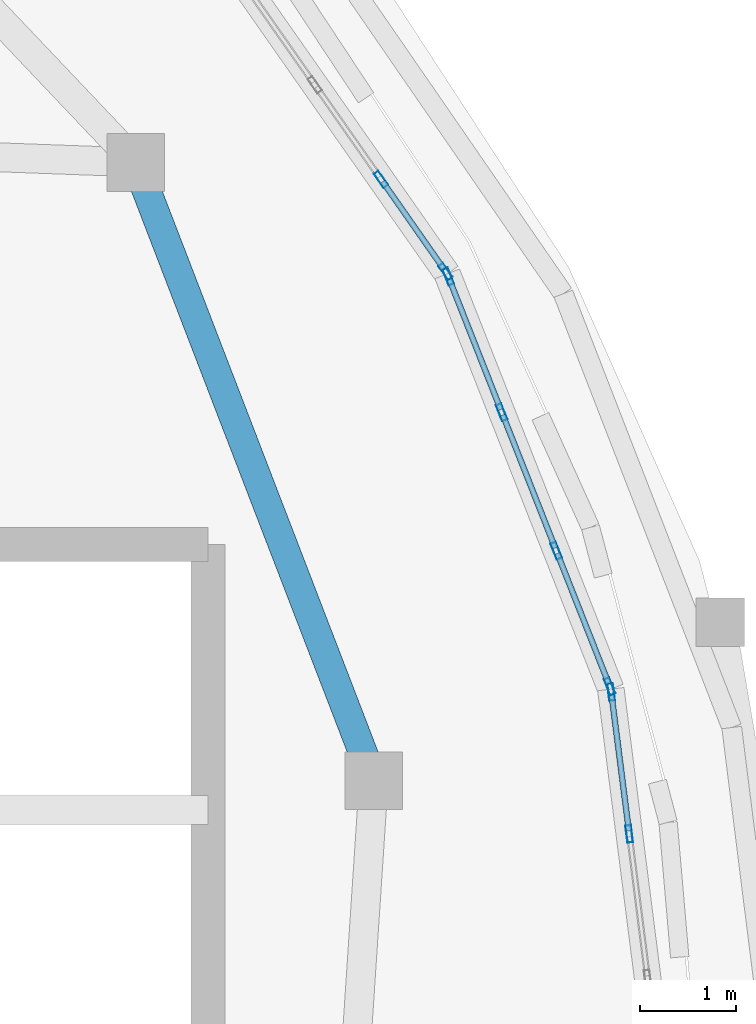
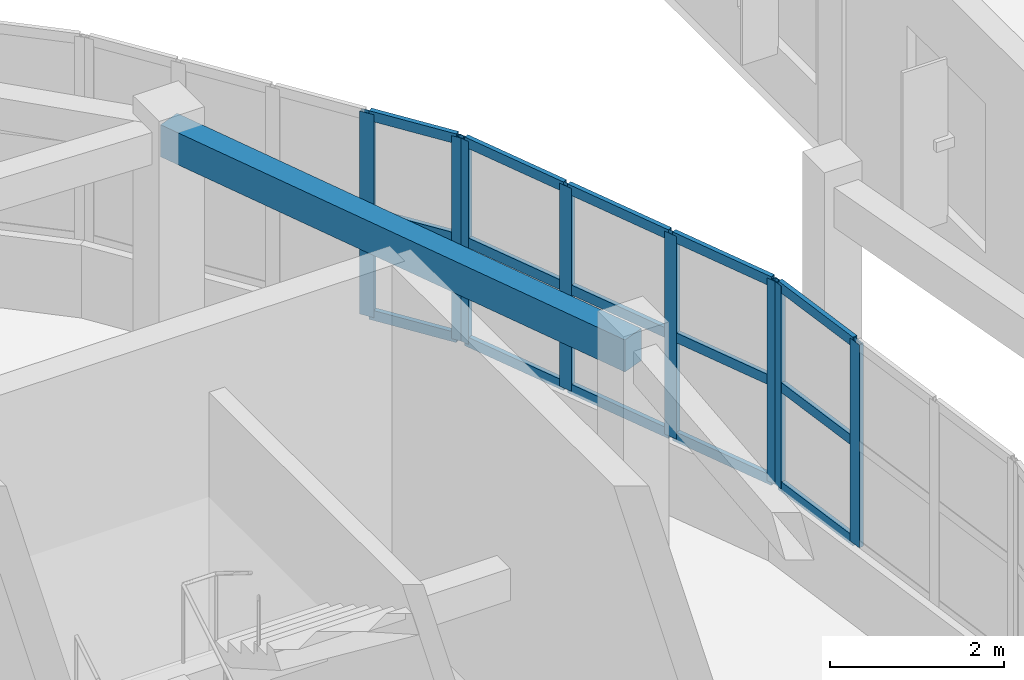
# One storey, part 28 of 69: 23 members, 1 beam, 3 elements without a shape of their own.
"""IFC4 building model written with IfcOpenShell, lengths in metres."""

from ifc_helpers import new_model, si_unit, direction, frame, origin, origin_2d, place, context, subcontext, project, spatial, rectangle, hollow_rectangle, extrude, material, layer, layer_set, material_profile, profile_set, type_object, element, aggregate, save


model = new_model("IFC4")

# Units and contexts
model_context = context("Model", 3, precision=1e-05, world=origin(), true_north=direction((0.0, 1.0)))
body_context = subcontext(model_context, "Body", "Model", "MODEL_VIEW")
ifc_project = project(units=[si_unit("LENGTHUNIT", "METRE"), si_unit("AREAUNIT", "SQUARE_METRE"), si_unit("VOLUMEUNIT", "CUBIC_METRE"), si_unit("PLANEANGLEUNIT", "RADIAN"), si_unit("MASSUNIT", "GRAM", prefix="KILO")], contexts=[model_context])

# Site, building, storey
site_placement = place(None, origin())
site = spatial("IfcSite", under=ifc_project, at=site_placement, CompositionType="ELEMENT")
building_placement = place(site_placement, origin())
building = spatial("IfcBuilding", under=site, at=building_placement, Name="Pelvatis Terrace Science Centre", CompositionType="ELEMENT")
storey_placement = place(building_placement, frame((0.0, 0.0, 15.0)))
storey = spatial("IfcBuildingStorey", under=building, at=storey_placement, Name="L03", CompositionType="ELEMENT", Elevation=15.0)

# Beam
ifc_material_1 = material(Name="Concrete C35/45", Category="concrete")
ifc_material_profile_1 = material_profile(ifc_material_1, rectangle(XDim=0.300048828125, YDim=0.449951171875, at=origin_2d()), Name="RC-BM 300x450")
ifc_profile_set_1 = profile_set([ifc_material_profile_1], Name="Concrete C35/45")
beam_type = type_object("IfcBeamType", Name="BM-RC-300x450", PredefinedType="BEAM", material=ifc_profile_set_1)
beam_placement = place(storey_placement, frame((133.31884765625, 87.552001953125, 4.324951171875), z_axis=(-0.359224405227, 0.933251213066, 0.0), x_axis=(-0.933251213066, -0.359224405227, 0.0)))
element("IfcBeam", 1, at=beam_placement, inside=storey, type_object=beam_type, Name="Beam BM-L03-3009", PredefinedType="BEAM", context=body_context, shape_type="SweptSolid", body=[
    extrude(rectangle(XDim=0.300048828125, YDim=0.449951171875, at=origin_2d()), origin(), (0.0, 0.0, 1.0), 6.868408203125),
])

# Curtain wall, members
ifc_material_2 = material(Name="Bronze-anodised aluminium and laminated glass", Category="aluminium")
ifc_layer = layer(ifc_material_2, 0.179931640625)
ifc_layer_set = layer_set([ifc_layer], Name="Bronze-anodised aluminium and laminated glass")
curtain_wall_type = type_object("IfcCurtainWallType", Name="CW-RIBBON-A", PredefinedType="NOTDEFINED", material=ifc_layer_set)
curtain_wall_1_placement = place(storey_placement, origin())
curtain_wall_1 = element("IfcCurtainWall", 2, at=curtain_wall_1_placement, inside=storey, type_object=curtain_wall_type, Name="Ribbon curtain wall CW-183 (L03)", PredefinedType="NOTDEFINED")
ifc_material_3 = material(Name="Bronze-anodised aluminium 6063-T6", Category="aluminium")
ifc_material_profile_2 = material_profile(ifc_material_3, hollow_rectangle(XDim=0.06005859375, YDim=0.179931640625, WallThickness=0.00390625, at=origin_2d()), Name="ALU-MUL 60x180")
ifc_profile_set_2 = profile_set([ifc_material_profile_2], Name="Bronze-anodised aluminium 6063-T6")
member_type_1 = type_object("IfcMemberType", Name="CWM-60x180", PredefinedType="MULLION", material=ifc_profile_set_2)
member_1_placement = place(storey_placement, frame((135.967529296875, 87.0009765625, 1.02001953125), z_axis=(0.0, 0.0, 1.0), x_axis=(-0.991978378597, -0.126407659563, 0.0)))
member_1 = element("IfcMember", 3, at=member_1_placement, type_object=member_type_1, Name="CW-183 mullion 3", PredefinedType="MULLION", context=body_context, shape_type="SweptSolid", body=[
    extrude(hollow_rectangle(XDim=0.06005859375, YDim=0.179931640625, WallThickness=0.00390625, at=origin_2d()), origin(), (0.0, 0.0, 1.0), 2.85009765625),
])
member_2_placement = place(storey_placement, frame((135.7802734375, 88.471435546875, 1.02001953125), z_axis=(0.0, 0.0, 1.0), x_axis=(-0.991978378597, -0.126407659563, 0.0)))
member_2 = element("IfcMember", 4, at=member_2_placement, type_object=member_type_1, Name="CW-183 mullion 4", PredefinedType="MULLION", context=body_context, shape_type="SweptSolid", body=[
    extrude(hollow_rectangle(XDim=0.06005859375, YDim=0.179931640625, WallThickness=0.00390625, at=origin_2d()), origin(), (0.0, 0.0, 1.0), 2.85009765625),
])

curtain_wall_2_placement = place(storey_placement, origin())
curtain_wall_2 = element("IfcCurtainWall", 5, at=curtain_wall_2_placement, inside=storey, type_object=curtain_wall_type, Name="Ribbon curtain wall CW-184 (L03)", PredefinedType="NOTDEFINED")
member_3_placement = place(storey_placement, frame((135.765380859375, 88.529296875, 1.02001953125), z_axis=(0.0, 0.0, 1.0), x_axis=(-0.930401915157, -0.366540961248, 0.0)))
member_3 = element("IfcMember", 6, at=member_3_placement, type_object=member_type_1, Name="CW-184 mullion 1", PredefinedType="MULLION", context=body_context, shape_type="SweptSolid", body=[
    extrude(hollow_rectangle(XDim=0.06005859375, YDim=0.179931640625, WallThickness=0.00390625, at=origin_2d()), origin(), (0.0, 0.0, 1.0), 2.85009765625),
])
member_4_placement = place(storey_placement, frame((135.211181640625, 89.93603515625, 1.02001953125), z_axis=(0.0, 0.0, 1.0), x_axis=(-0.930401915157, -0.366540961248, 0.0)))
member_4 = element("IfcMember", 7, at=member_4_placement, type_object=member_type_1, Name="CW-184 mullion 2", PredefinedType="MULLION", context=body_context, shape_type="SweptSolid", body=[
    extrude(hollow_rectangle(XDim=0.06005859375, YDim=0.179931640625, WallThickness=0.00390625, at=origin_2d()), origin(), (0.0, 0.0, 1.0), 2.85009765625),
])
member_5_placement = place(storey_placement, frame((134.645751953125, 91.370849609375, 1.02001953125), z_axis=(0.0, 0.0, 1.0), x_axis=(-0.930401915157, -0.366540961248, 0.0)))
member_5 = element("IfcMember", 8, at=member_5_placement, type_object=member_type_1, Name="CW-184 mullion 3", PredefinedType="MULLION", context=body_context, shape_type="SweptSolid", body=[
    extrude(hollow_rectangle(XDim=0.06005859375, YDim=0.179931640625, WallThickness=0.00390625, at=origin_2d()), origin(), (0.0, 0.0, 1.0), 2.85009765625),
])
member_6_placement = place(storey_placement, frame((134.091552734375, 92.77783203125, 1.02001953125), z_axis=(0.0, 0.0, 1.0), x_axis=(-0.930401915157, -0.366540961248, 0.0)))
member_6 = element("IfcMember", 9, at=member_6_placement, type_object=member_type_1, Name="CW-184 mullion 4", PredefinedType="MULLION", context=body_context, shape_type="SweptSolid", body=[
    extrude(hollow_rectangle(XDim=0.06005859375, YDim=0.179931640625, WallThickness=0.00390625, at=origin_2d()), origin(), (0.0, 0.0, 1.0), 2.85009765625),
])

curtain_wall_3_placement = place(storey_placement, origin())
curtain_wall_3 = element("IfcCurtainWall", 10, at=curtain_wall_3_placement, inside=storey, type_object=curtain_wall_type, Name="Ribbon curtain wall CW-185 (L03)", PredefinedType="NOTDEFINED")
member_7_placement = place(storey_placement, frame((134.0634765625, 92.830322265625, 1.02001953125), z_axis=(0.0, 0.0, 1.0), x_axis=(-0.81922799303, -0.573467955021, 0.0)))
member_7 = element("IfcMember", 11, at=member_7_placement, type_object=member_type_1, Name="CW-185 mullion 1", PredefinedType="MULLION", context=body_context, shape_type="SweptSolid", body=[
    extrude(hollow_rectangle(XDim=0.06005859375, YDim=0.179931640625, WallThickness=0.00390625, at=origin_2d()), origin(), (0.0, 0.0, 1.0), 2.85009765625),
])
member_8_placement = place(storey_placement, frame((133.39453125, 93.78564453125, 1.02001953125), z_axis=(0.0, 0.0, 1.0), x_axis=(-0.81922799303, -0.573467955021, 0.0)))
member_8 = element("IfcMember", 12, at=member_8_placement, type_object=member_type_1, Name="CW-185 mullion 2", PredefinedType="MULLION", context=body_context, shape_type="SweptSolid", body=[
    extrude(hollow_rectangle(XDim=0.06005859375, YDim=0.179931640625, WallThickness=0.00390625, at=origin_2d()), origin(), (0.0, 0.0, 1.0), 2.85009765625),
])

# Member
ifc_material_4 = material(Name="Bronze-anodised aluminium 6063-T6", Category="aluminium")
ifc_material_profile_3 = material_profile(ifc_material_4, hollow_rectangle(XDim=0.06005859375, YDim=0.139892578125, WallThickness=0.00390625, at=origin_2d()), Name="ALU-TRN 60x140")
ifc_profile_set_3 = profile_set([ifc_material_profile_3], Name="Bronze-anodised aluminium 6063-T6")
member_type_2 = type_object("IfcMemberType", Name="CWT-60x140", PredefinedType="USERDEFINED", material=ifc_profile_set_3)
member_9_placement = place(storey_placement, frame((135.9638671875, 87.030517578125, 1.050048828125), z_axis=(-0.126463044856, 0.991971319286, 0.0), x_axis=(-0.991971319286, -0.126463044856, 0.0)))
member_9 = element("IfcMember", 13, at=member_9_placement, type_object=member_type_2, Name="CW-183 transom 3.1", ObjectType="TRANSOM", PredefinedType="USERDEFINED", context=body_context, shape_type="SweptSolid", body=[
    extrude(hollow_rectangle(XDim=0.06005859375, YDim=0.139892578125, WallThickness=0.00390625, at=origin_2d()), origin(), (0.0, 0.0, 1.0), 1.4228515625),
])

member_10_placement = place(storey_placement, frame((135.9638671875, 87.030517578125, 2.445068359375), z_axis=(-0.126463044856, 0.991971319286, 0.0), x_axis=(-0.991971319286, -0.126463044856, 0.0)))
member_10 = element("IfcMember", 14, at=member_10_placement, type_object=member_type_2, Name="CW-183 transom 3.2", ObjectType="TRANSOM", PredefinedType="USERDEFINED", context=body_context, shape_type="SweptSolid", body=[
    extrude(hollow_rectangle(XDim=0.06005859375, YDim=0.139892578125, WallThickness=0.00390625, at=origin_2d()), origin(), (0.0, 0.0, 1.0), 1.4228515625),
])

member_11_placement = place(storey_placement, frame((135.9638671875, 87.030517578125, 3.840087890625), z_axis=(-0.126463044856, 0.991971319286, 0.0), x_axis=(-0.991971319286, -0.126463044856, 0.0)))
member_11 = element("IfcMember", 15, at=member_11_placement, type_object=member_type_2, Name="CW-183 transom 3.3", ObjectType="TRANSOM", PredefinedType="USERDEFINED", context=body_context, shape_type="SweptSolid", body=[
    extrude(hollow_rectangle(XDim=0.06005859375, YDim=0.139892578125, WallThickness=0.00390625, at=origin_2d()), origin(), (0.0, 0.0, 1.0), 1.4228515625),
])

aggregate(curtain_wall_1, [member_1, member_2, member_9, member_10, member_11])

member_12_placement = place(storey_placement, frame((135.75439453125, 88.55712890625, 1.050048828125), z_axis=(-0.366515697741, 0.930411867567, 0.0), x_axis=(-0.930411867567, -0.366515697741, 0.0)))
member_12 = element("IfcMember", 16, at=member_12_placement, type_object=member_type_2, Name="CW-184 transom 1.1", ObjectType="TRANSOM", PredefinedType="USERDEFINED", context=body_context, shape_type="SweptSolid", body=[
    extrude(hollow_rectangle(XDim=0.06005859375, YDim=0.139892578125, WallThickness=0.00390625, at=origin_2d()), origin(), (0.0, 0.0, 1.0), 1.4521484375),
])

member_13_placement = place(storey_placement, frame((135.75439453125, 88.55712890625, 2.445068359375), z_axis=(-0.366515697741, 0.930411867567, 0.0), x_axis=(-0.930411867567, -0.366515697741, 0.0)))
member_13 = element("IfcMember", 17, at=member_13_placement, type_object=member_type_2, Name="CW-184 transom 1.2", ObjectType="TRANSOM", PredefinedType="USERDEFINED", context=body_context, shape_type="SweptSolid", body=[
    extrude(hollow_rectangle(XDim=0.06005859375, YDim=0.139892578125, WallThickness=0.00390625, at=origin_2d()), origin(), (0.0, 0.0, 1.0), 1.4521484375),
])

member_14_placement = place(storey_placement, frame((135.75439453125, 88.55712890625, 3.840087890625), z_axis=(-0.366515697741, 0.930411867567, 0.0), x_axis=(-0.930411867567, -0.366515697741, 0.0)))
member_14 = element("IfcMember", 18, at=member_14_placement, type_object=member_type_2, Name="CW-184 transom 1.3", ObjectType="TRANSOM", PredefinedType="USERDEFINED", context=body_context, shape_type="SweptSolid", body=[
    extrude(hollow_rectangle(XDim=0.06005859375, YDim=0.139892578125, WallThickness=0.00390625, at=origin_2d()), origin(), (0.0, 0.0, 1.0), 1.4521484375),
])

member_15_placement = place(storey_placement, frame((135.2001953125, 89.964111328125, 1.050048828125), z_axis=(-0.366528839649, 0.930406690488, 0.0), x_axis=(-0.930406690488, -0.366528839649, 0.0)))
member_15 = element("IfcMember", 19, at=member_15_placement, type_object=member_type_2, Name="CW-184 transom 2.1", ObjectType="TRANSOM", PredefinedType="USERDEFINED", context=body_context, shape_type="SweptSolid", body=[
    extrude(hollow_rectangle(XDim=0.06005859375, YDim=0.139892578125, WallThickness=0.00390625, at=origin_2d()), origin(), (0.0, 0.0, 1.0), 1.48193359375),
])

member_16_placement = place(storey_placement, frame((135.2001953125, 89.964111328125, 2.445068359375), z_axis=(-0.366528839649, 0.930406690488, 0.0), x_axis=(-0.930406690488, -0.366528839649, 0.0)))
member_16 = element("IfcMember", 20, at=member_16_placement, type_object=member_type_2, Name="CW-184 transom 2.2", ObjectType="TRANSOM", PredefinedType="USERDEFINED", context=body_context, shape_type="SweptSolid", body=[
    extrude(hollow_rectangle(XDim=0.06005859375, YDim=0.139892578125, WallThickness=0.00390625, at=origin_2d()), origin(), (0.0, 0.0, 1.0), 1.48193359375),
])

member_17_placement = place(storey_placement, frame((135.2001953125, 89.964111328125, 3.840087890625), z_axis=(-0.366528839649, 0.930406690488, 0.0), x_axis=(-0.930406690488, -0.366528839649, 0.0)))
member_17 = element("IfcMember", 21, at=member_17_placement, type_object=member_type_2, Name="CW-184 transom 2.3", ObjectType="TRANSOM", PredefinedType="USERDEFINED", context=body_context, shape_type="SweptSolid", body=[
    extrude(hollow_rectangle(XDim=0.06005859375, YDim=0.139892578125, WallThickness=0.00390625, at=origin_2d()), origin(), (0.0, 0.0, 1.0), 1.48193359375),
])

member_18_placement = place(storey_placement, frame((134.634765625, 91.39892578125, 1.050048828125), z_axis=(-0.366515697741, 0.930411867567, 0.0), x_axis=(-0.930411867567, -0.366515697741, 0.0)))
member_18 = element("IfcMember", 22, at=member_18_placement, type_object=member_type_2, Name="CW-184 transom 3.1", ObjectType="TRANSOM", PredefinedType="USERDEFINED", context=body_context, shape_type="SweptSolid", body=[
    extrude(hollow_rectangle(XDim=0.06005859375, YDim=0.139892578125, WallThickness=0.00390625, at=origin_2d()), origin(), (0.0, 0.0, 1.0), 1.4521484375),
])

member_19_placement = place(storey_placement, frame((134.634765625, 91.39892578125, 2.445068359375), z_axis=(-0.366515697741, 0.930411867567, 0.0), x_axis=(-0.930411867567, -0.366515697741, 0.0)))
member_19 = element("IfcMember", 23, at=member_19_placement, type_object=member_type_2, Name="CW-184 transom 3.2", ObjectType="TRANSOM", PredefinedType="USERDEFINED", context=body_context, shape_type="SweptSolid", body=[
    extrude(hollow_rectangle(XDim=0.06005859375, YDim=0.139892578125, WallThickness=0.00390625, at=origin_2d()), origin(), (0.0, 0.0, 1.0), 1.4521484375),
])

member_20_placement = place(storey_placement, frame((134.634765625, 91.39892578125, 3.840087890625), z_axis=(-0.366515697741, 0.930411867567, 0.0), x_axis=(-0.930411867567, -0.366515697741, 0.0)))
member_20 = element("IfcMember", 24, at=member_20_placement, type_object=member_type_2, Name="CW-184 transom 3.3", ObjectType="TRANSOM", PredefinedType="USERDEFINED", context=body_context, shape_type="SweptSolid", body=[
    extrude(hollow_rectangle(XDim=0.06005859375, YDim=0.139892578125, WallThickness=0.00390625, at=origin_2d()), origin(), (0.0, 0.0, 1.0), 1.4521484375),
])

aggregate(curtain_wall_2, [member_3, member_4, member_5, member_6, member_12, member_13, member_14, member_15, member_16, member_17, member_18, member_19, member_20])

member_21_placement = place(storey_placement, frame((134.046142578125, 92.85498046875, 1.050048828125), z_axis=(-0.573403092011, 0.819273393973, 0.0), x_axis=(-0.819273393973, -0.573403092011, 0.0)))
member_21 = element("IfcMember", 25, at=member_21_placement, type_object=member_type_2, Name="CW-185 transom 1.1", ObjectType="TRANSOM", PredefinedType="USERDEFINED", context=body_context, shape_type="SweptSolid", body=[
    extrude(hollow_rectangle(XDim=0.06005859375, YDim=0.139892578125, WallThickness=0.00390625, at=origin_2d()), origin(), (0.0, 0.0, 1.0), 1.106201171875),
])

member_22_placement = place(storey_placement, frame((134.046142578125, 92.85498046875, 2.445068359375), z_axis=(-0.573403092011, 0.819273393973, 0.0), x_axis=(-0.819273393973, -0.573403092011, 0.0)))
member_22 = element("IfcMember", 26, at=member_22_placement, type_object=member_type_2, Name="CW-185 transom 1.2", ObjectType="TRANSOM", PredefinedType="USERDEFINED", context=body_context, shape_type="SweptSolid", body=[
    extrude(hollow_rectangle(XDim=0.06005859375, YDim=0.139892578125, WallThickness=0.00390625, at=origin_2d()), origin(), (0.0, 0.0, 1.0), 1.106201171875),
])

member_23_placement = place(storey_placement, frame((134.046142578125, 92.85498046875, 3.840087890625), z_axis=(-0.573403092011, 0.819273393973, 0.0), x_axis=(-0.819273393973, -0.573403092011, 0.0)))
member_23 = element("IfcMember", 27, at=member_23_placement, type_object=member_type_2, Name="CW-185 transom 1.3", ObjectType="TRANSOM", PredefinedType="USERDEFINED", context=body_context, shape_type="SweptSolid", body=[
    extrude(hollow_rectangle(XDim=0.06005859375, YDim=0.139892578125, WallThickness=0.00390625, at=origin_2d()), origin(), (0.0, 0.0, 1.0), 1.106201171875),
])

aggregate(curtain_wall_3, [member_7, member_8, member_21, member_22, member_23])

save(model, "model.ifc")
